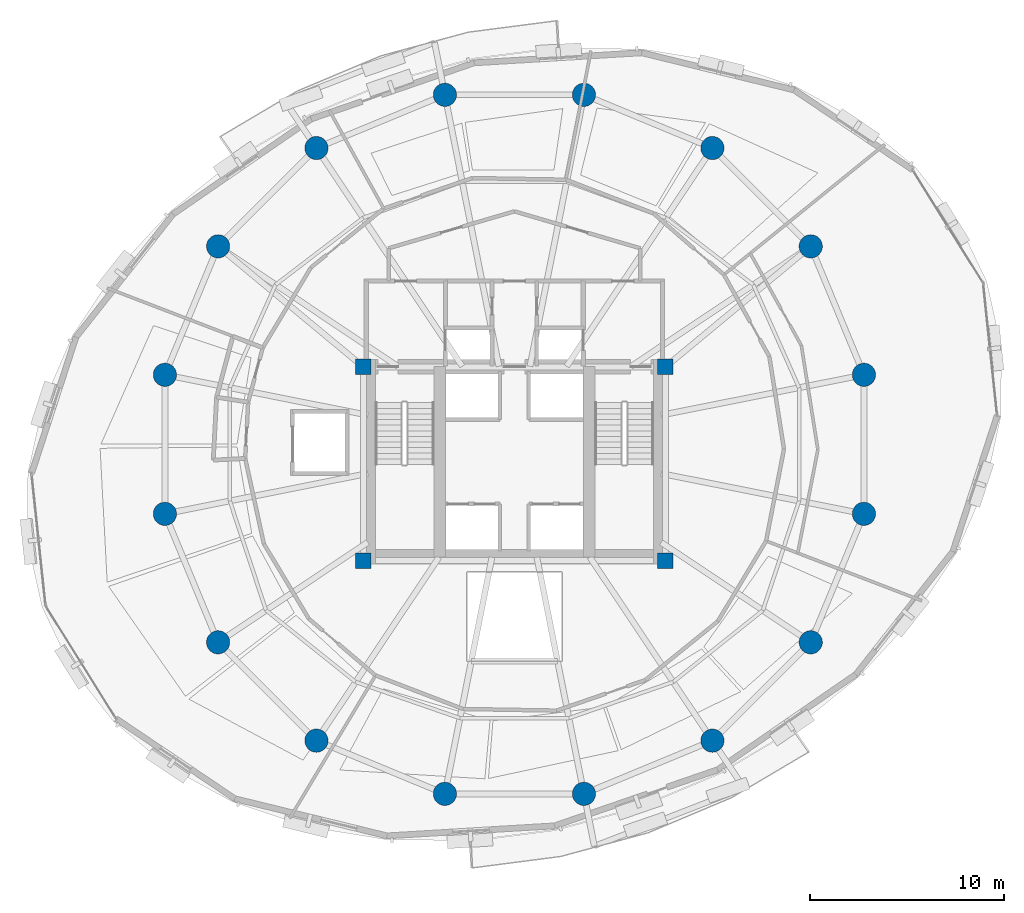
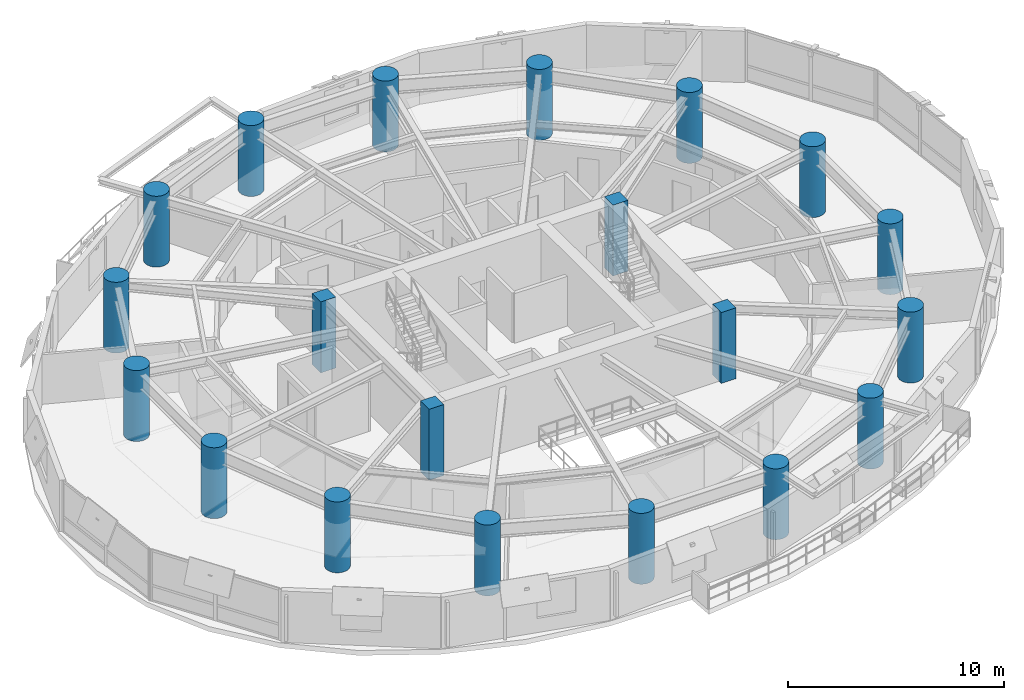
# One storey, part 1 of 15: 20 columns.
"""IFC4 building model written with IfcOpenShell, lengths in metres."""

from ifc_helpers import new_model, si_unit, direction, frame, origin, origin_2d, place, context, subcontext, project, spatial, rectangle, circle, extrude, material, material_profile, profile_set, type_object, element, save


model = new_model("IFC4")

# Units and contexts
model_context = context("Model", 3, precision=1e-05, world=origin(), true_north=direction((0.0, 1.0)))
body_context = subcontext(model_context, "Body", "Model", "MODEL_VIEW")
ifc_project = project(units=[si_unit("LENGTHUNIT", "METRE"), si_unit("AREAUNIT", "SQUARE_METRE"), si_unit("VOLUMEUNIT", "CUBIC_METRE"), si_unit("PLANEANGLEUNIT", "RADIAN"), si_unit("MASSUNIT", "GRAM", prefix="KILO"), si_unit("THERMODYNAMICTEMPERATUREUNIT", "KELVIN"), si_unit("POWERUNIT", "WATT")], contexts=[model_context])

# Site, building, storey
site_placement = place(None, origin())
site = spatial("IfcSite", under=ifc_project, at=site_placement, CompositionType="ELEMENT")
building_placement = place(site_placement, origin())
building = spatial("IfcBuilding", under=site, at=building_placement, Name="Ocrelia Relay Tower", CompositionType="ELEMENT")
storey_placement = place(building_placement, frame((0.0, 0.0, 113.800048828125)))
storey = spatial("IfcBuildingStorey", under=building, at=storey_placement, Name="L26", CompositionType="ELEMENT", Elevation=113.800048828125)

# Columns
ifc_material = material(Name="Concrete C60/75", Category="concrete")
ifc_material_profile_1 = material_profile(ifc_material, circle(Radius=0.60009765625, at=origin_2d()), Name="RC-CIR-1200")
ifc_profile_set_1 = profile_set([ifc_material_profile_1], Name="Concrete C60/75")
column_type_1 = type_object("IfcColumnType", Name="COL-CT-1200", PredefinedType="COLUMN", material=ifc_profile_set_1)
for number, where, z_axis, x_axis, name in (
    (1, (52.04638671875, 29.589599609375, 0.0), (0.0, 0.0, 1.0), (1.0, 0.0, 0.0), "L26 Perimeter Ring Column C01"),
    (2, (49.299072265625, 36.222412109375, 0.0), (0.0, 0.0, 1.0), (1.0, 0.0, 0.0), "L26 Perimeter Ring Column C02"),
    (3, (44.222412109375, 41.299072265625, 0.0), (0.0, 0.0, 1.0), (1.0, 0.0, 0.0), "L26 Perimeter Ring Column C03"),
    (4, (37.589599609375, 44.04638671875, 0.0), (0.0, 0.0, 1.0), (1.0, 0.0, 0.0), "L26 Perimeter Ring Column C04"),
    (5, (30.410400390625, 44.04638671875, 0.0), (0.0, 0.0, 1.0), (1.0, 0.0, 0.0), "L26 Perimeter Ring Column C05"),
    (6, (23.777587890625, 41.299072265625, 0.0), (0.0, 0.0, 1.0), (1.0, 0.0, 0.0), "L26 Perimeter Ring Column C06"),
    (7, (18.700927734375, 36.222412109375, 0.0), (0.0, 0.0, 1.0), (1.0, 0.0, 0.0), "L26 Perimeter Ring Column C07"),
    (8, (15.95361328125, 29.589599609375, 0.0), (0.0, 0.0, 1.0), (1.0, 0.0, 0.0), "L26 Perimeter Ring Column C08"),
    (9, (15.95361328125, 22.410400390625, 0.0), (0.0, 0.0, 1.0), (1.0, 0.0, 0.0), "L26 Perimeter Ring Column C09"),
    (10, (18.700927734375, 15.777587890625, 0.0), (0.0, 0.0, 1.0), (1.0, 0.0, 0.0), "L26 Perimeter Ring Column C10"),
    (11, (23.777587890625, 10.700927734375, 0.0), (0.0, 0.0, 1.0), (1.0, 0.0, 0.0), "L26 Perimeter Ring Column C11"),
    (12, (30.410400390625, 7.95361328125, 0.0), (0.0, 0.0, 1.0), (1.0, 0.0, 0.0), "L26 Perimeter Ring Column C12"),
    (13, (37.589599609375, 7.95361328125, 0.0), (0.0, 0.0, 1.0), (1.0, 0.0, 0.0), "L26 Perimeter Ring Column C13"),
    (14, (44.222412109375, 10.700927734375, 0.0), (0.0, 0.0, 1.0), (1.0, 0.0, 0.0), "L26 Perimeter Ring Column C14"),
    (15, (49.299072265625, 15.777587890625, 0.0), (0.0, 0.0, 1.0), (1.0, 0.0, 0.0), "L26 Perimeter Ring Column C15"),
    (16, (52.04638671875, 22.410400390625, 0.0), (0.0, 0.0, 1.0), (1.0, 0.0, 0.0), "L26 Perimeter Ring Column C16"),
):
    element("IfcColumn", number, at=place(storey_placement, frame(where, z_axis=z_axis, x_axis=x_axis)), inside=storey, type_object=column_type_1, Name=name, PredefinedType="COLUMN", context=body_context, shape_type="SweptSolid", body=[
        extrude(circle(Radius=0.60009765625, at=origin_2d()), origin(), (0.0, 0.0, 1.0), 4.0),
    ])
ifc_material_profile_2 = material_profile(ifc_material, rectangle(XDim=0.800048828125, YDim=0.800048828125, at=origin_2d()), Name="RC-COL-800x800")
ifc_profile_set_2 = profile_set([ifc_material_profile_2], Name="Concrete C60/75")
column_type_2 = type_object("IfcColumnType", Name="COL-PILASTER-800", PredefinedType="PILASTER", material=ifc_profile_set_2)
for number, where, z_axis, x_axis, name in (
    (17, (26.199951171875, 20.0, 0.0), (0.0, 0.0, 1.0), (1.0, 0.0, 0.0), "L26 Core Corner Pilaster SW"),
    (18, (41.800048828125, 20.0, 0.0), (0.0, 0.0, 1.0), (1.0, 0.0, 0.0), "L26 Core Corner Pilaster SE"),
    (19, (26.199951171875, 30.0, 0.0), (0.0, 0.0, 1.0), (1.0, 0.0, 0.0), "L26 Core Corner Pilaster NW"),
    (20, (41.800048828125, 30.0, 0.0), (0.0, 0.0, 1.0), (1.0, 0.0, 0.0), "L26 Core Corner Pilaster NE"),
):
    element("IfcColumn", number, at=place(storey_placement, frame(where, z_axis=z_axis, x_axis=x_axis)), inside=storey, type_object=column_type_2, Name=name, PredefinedType="PILASTER", context=body_context, shape_type="SweptSolid", body=[
        extrude(rectangle(XDim=0.800048828125, YDim=0.800048828125, at=origin_2d()), origin(), (0.0, 0.0, 1.0), 4.0),
    ])

save(model, "model.ifc")
